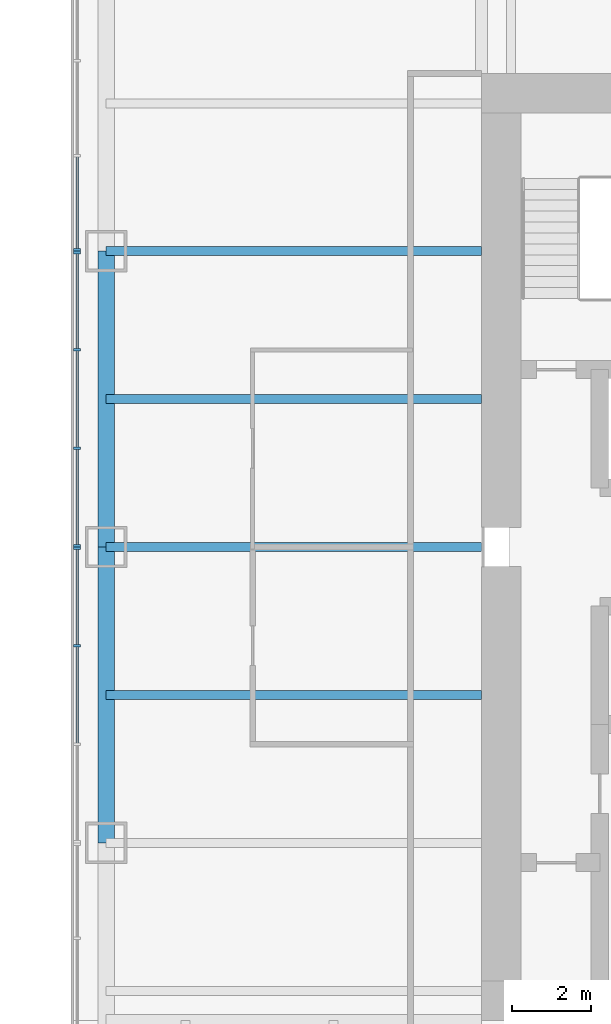
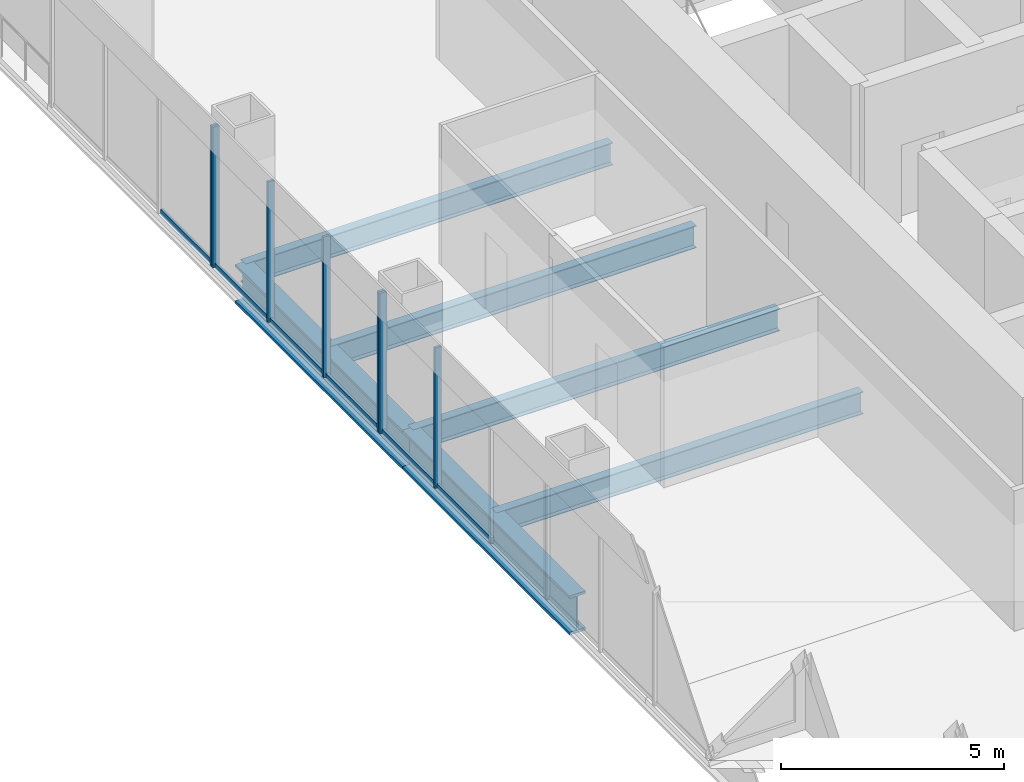
# One storey, part 3 of 13: 13 members, 6 beams, 3 elements without a shape of their own.
"""IFC4 building model written with IfcOpenShell, lengths in metres."""

from ifc_helpers import new_model, si_unit, direction, frame, origin, origin_2d, place, context, subcontext, project, spatial, rectangle, i_section, extrude, material, material_profile, profile_set, type_object, element, aggregate, save


model = new_model("IFC4")

# Units and contexts
model_context = context("Model", 3, precision=1e-05, world=origin(), true_north=direction((0.0, 1.0)))
body_context = subcontext(model_context, "Body", "Model", "MODEL_VIEW")
ifc_project = project(units=[si_unit("LENGTHUNIT", "METRE"), si_unit("AREAUNIT", "SQUARE_METRE"), si_unit("VOLUMEUNIT", "CUBIC_METRE"), si_unit("PLANEANGLEUNIT", "RADIAN"), si_unit("MASSUNIT", "GRAM", prefix="KILO")], contexts=[model_context])

# Site, building, storey
site_placement = place(None, origin())
site = spatial("IfcSite", under=ifc_project, at=site_placement, CompositionType="ELEMENT")
building_placement = place(site_placement, origin())
building = spatial("IfcBuilding", under=site, at=building_placement, Name="Tarangal Relay Tower", CompositionType="ELEMENT")
storey_placement = place(building_placement, frame((0.0, 0.0, 217.89990234375)))
storey = spatial("IfcBuildingStorey", under=building, at=storey_placement, Name="L46", CompositionType="ELEMENT", Elevation=217.89990234375)

# Beams
ifc_material_1 = material(Name="Steel ASTM A992", Category="steel")
ifc_material_profile_1 = material_profile(ifc_material_1, i_section(OverallWidth=0.41650390625, OverallDepth=1.0693359375, WebThickness=0.0390625, FlangeThickness=0.070068359375, at=origin_2d()), Name="W40X503")
ifc_profile_set_1 = profile_set([ifc_material_profile_1], Name="Steel ASTM A992")
beam_type_1 = type_object("IfcBeamType", Name="Edge girder W40X503", PredefinedType="SPANDREL", material=ifc_profile_set_1)
for number, where, z_axis, x_axis, name in (
    (1, (-21.514892578125, -7.5, -0.6845703125), (0.0, 1.0, 0.0), (-1.0, 0.0, 0.0), "Edge girder EG8 W L46"),
    (2, (-21.514892578125, 0.0, -0.6845703125), (0.0, 1.0, 0.0), (-1.0, 0.0, 0.0), "Edge girder EG8 W L46"),
):
    element("IfcBeam", number, at=place(storey_placement, frame(where, z_axis=z_axis, x_axis=x_axis)), inside=storey, type_object=beam_type_1, Name=name, PredefinedType="SPANDREL", context=body_context, shape_type="SweptSolid", body=[
        extrude(i_section(OverallWidth=0.41650390625, OverallDepth=1.0693359375, WebThickness=0.0390625, FlangeThickness=0.070068359375, at=origin_2d()), origin(), (0.0, 0.0, 1.0), 7.5),
    ])
ifc_material_profile_2 = material_profile(ifc_material_1, i_section(OverallWidth=0.22900390625, OverallDepth=0.612060546875, WebThickness=0.011962890625, FlangeThickness=0.01953125, at=origin_2d()), Name="W24X84")
ifc_profile_set_2 = profile_set([ifc_material_profile_2], Name="Steel ASTM A992")
beam_type_2 = type_object("IfcBeamType", Name="Floor beam W24X84", PredefinedType="BEAM", material=ifc_profile_set_2)
for number, where, z_axis, x_axis, name in (
    (3, (-12.0, -3.75, -0.455810546875), (-1.0, 0.0, 0.0), (0.0, -1.0, 0.0), "Floor beam RB12 W L46"),
    (4, (-12.0, 0.0, -0.455810546875), (-1.0, 0.0, 0.0), (0.0, -1.0, 0.0), "Floor beam RB12 W L46"),
    (5, (-12.0, 3.75, -0.455810546875), (-1.0, 0.0, 0.0), (0.0, -1.0, 0.0), "Floor beam RB12 W L46"),
    (6, (-12.0, 7.5, -0.455810546875), (-1.0, 0.0, 0.0), (0.0, -1.0, 0.0), "Floor beam RB12 W L46"),
):
    element("IfcBeam", number, at=place(storey_placement, frame(where, z_axis=z_axis, x_axis=x_axis)), inside=storey, type_object=beam_type_2, Name=name, PredefinedType="BEAM", context=body_context, shape_type="SweptSolid", body=[
        extrude(i_section(OverallWidth=0.22900390625, OverallDepth=0.612060546875, WebThickness=0.011962890625, FlangeThickness=0.01953125, at=origin_2d()), origin(), (0.0, 0.0, 1.0), 9.514892578125),
    ])

# Curtain wall, members
ifc_material_2 = material(Name="Unitised curtain wall, dark glass and black aluminium", Category="aluminium")
curtain_wall_type = type_object("IfcCurtainWallType", Name="Curtain wall CW-A", PredefinedType="USERDEFINED", material=ifc_material_2)
curtain_wall_1_placement = place(storey_placement, origin())
curtain_wall_1 = element("IfcCurtainWall", 7, at=curtain_wall_1_placement, inside=storey, type_object=curtain_wall_type, Name="Curtain wall CW-A W facade L46", ObjectType="UNITISED CURTAIN WALL", PredefinedType="USERDEFINED")
ifc_material_3 = material(Name="Black anodised aluminium mullion", Category="aluminium")
ifc_material_profile_3 = material_profile(ifc_material_3, rectangle(XDim=0.175048828125, YDim=0.06494140625, at=origin_2d()), Name="CW-AM 65X175")
ifc_profile_set_3 = profile_set([ifc_material_profile_3], Name="Black anodised aluminium mullion")
member_type_1 = type_object("IfcMemberType", Name="Mullion CW-A 65 x 175", PredefinedType="MULLION", material=ifc_profile_set_3)
member_1_placement = place(storey_placement, frame((-22.25, -2.5, 0.0), z_axis=(0.0, 0.0, 1.0), x_axis=(-1.0, 0.0, 0.0)))
member_1 = element("IfcMember", 8, at=member_1_placement, type_object=member_type_1, Name="CW-A mullion 3", PredefinedType="MULLION", context=body_context, shape_type="SweptSolid", body=[
    extrude(rectangle(XDim=0.175048828125, YDim=0.06494140625, at=origin_2d()), origin(), (0.0, 0.0, 1.0), 3.85009765625),
])
member_2_placement = place(storey_placement, frame((-22.25, -0.032470703125, 0.0), z_axis=(0.0, 0.0, 1.0), x_axis=(-1.0, 0.0, 0.0)))
member_2 = element("IfcMember", 9, at=member_2_placement, type_object=member_type_1, Name="CW-A mullion 4", PredefinedType="MULLION", context=body_context, shape_type="SweptSolid", body=[
    extrude(rectangle(XDim=0.175048828125, YDim=0.06494140625, at=origin_2d()), origin(), (0.0, 0.0, 1.0), 3.85009765625),
])

curtain_wall_2_placement = place(storey_placement, origin())
curtain_wall_2 = element("IfcCurtainWall", 10, at=curtain_wall_2_placement, inside=storey, type_object=curtain_wall_type, Name="Curtain wall CW-A W facade L46", ObjectType="UNITISED CURTAIN WALL", PredefinedType="USERDEFINED")
member_3_placement = place(storey_placement, frame((-22.25, 0.032470703125, 0.0), z_axis=(0.0, 0.0, 1.0), x_axis=(-1.0, 0.0, 0.0)))
member_3 = element("IfcMember", 11, at=member_3_placement, type_object=member_type_1, Name="CW-A mullion 1", PredefinedType="MULLION", context=body_context, shape_type="SweptSolid", body=[
    extrude(rectangle(XDim=0.175048828125, YDim=0.06494140625, at=origin_2d()), origin(), (0.0, 0.0, 1.0), 3.85009765625),
])
member_4_placement = place(storey_placement, frame((-22.25, 2.5, 0.0), z_axis=(0.0, 0.0, 1.0), x_axis=(-1.0, 0.0, 0.0)))
member_4 = element("IfcMember", 12, at=member_4_placement, type_object=member_type_1, Name="CW-A mullion 2", PredefinedType="MULLION", context=body_context, shape_type="SweptSolid", body=[
    extrude(rectangle(XDim=0.175048828125, YDim=0.06494140625, at=origin_2d()), origin(), (0.0, 0.0, 1.0), 3.85009765625),
])
member_5_placement = place(storey_placement, frame((-22.25, 5.0, 0.0), z_axis=(0.0, 0.0, 1.0), x_axis=(-1.0, 0.0, 0.0)))
member_5 = element("IfcMember", 13, at=member_5_placement, type_object=member_type_1, Name="CW-A mullion 3", PredefinedType="MULLION", context=body_context, shape_type="SweptSolid", body=[
    extrude(rectangle(XDim=0.175048828125, YDim=0.06494140625, at=origin_2d()), origin(), (0.0, 0.0, 1.0), 3.85009765625),
])
member_6_placement = place(storey_placement, frame((-22.25, 7.467529296875, 0.0), z_axis=(0.0, 0.0, 1.0), x_axis=(-1.0, 0.0, 0.0)))
member_6 = element("IfcMember", 14, at=member_6_placement, type_object=member_type_1, Name="CW-A mullion 4", PredefinedType="MULLION", context=body_context, shape_type="SweptSolid", body=[
    extrude(rectangle(XDim=0.175048828125, YDim=0.06494140625, at=origin_2d()), origin(), (0.0, 0.0, 1.0), 3.85009765625),
])

# Curtain wall, member
curtain_wall_3_placement = place(storey_placement, origin())
curtain_wall_3 = element("IfcCurtainWall", 15, at=curtain_wall_3_placement, inside=storey, type_object=curtain_wall_type, Name="Curtain wall CW-A W facade L46", ObjectType="UNITISED CURTAIN WALL", PredefinedType="USERDEFINED")
member_7_placement = place(storey_placement, frame((-22.25, 7.532470703125, 0.0), z_axis=(0.0, 0.0, 1.0), x_axis=(-1.0, 0.0, 0.0)))
member_7 = element("IfcMember", 16, at=member_7_placement, type_object=member_type_1, Name="CW-A mullion 1", PredefinedType="MULLION", context=body_context, shape_type="SweptSolid", body=[
    extrude(rectangle(XDim=0.175048828125, YDim=0.06494140625, at=origin_2d()), origin(), (0.0, 0.0, 1.0), 3.85009765625),
])

# Member
ifc_material_4 = material(Name="Black anodised aluminium transom", Category="aluminium")
ifc_material_profile_4 = material_profile(ifc_material_4, rectangle(XDim=0.06494140625, YDim=0.14990234375, at=origin_2d()), Name="CW-AT 65X150")
ifc_profile_set_4 = profile_set([ifc_material_profile_4], Name="Black anodised aluminium transom")
member_type_2 = type_object("IfcMemberType", Name="Transom CW-A 65 x 150", PredefinedType="USERDEFINED", material=ifc_profile_set_4)
member_8_placement = place(storey_placement, frame((-22.25, -4.967529296875, 0.03271484375), z_axis=(0.0, 1.0, 0.0), x_axis=(-1.0, 0.0, 0.0)))
member_8 = element("IfcMember", 17, at=member_8_placement, type_object=member_type_2, Name="CW-A transom 2.1", ObjectType="TRANSOM", PredefinedType="USERDEFINED", context=body_context, shape_type="SweptSolid", body=[
    extrude(rectangle(XDim=0.06494140625, YDim=0.14990234375, at=origin_2d()), origin(), (0.0, 0.0, 1.0), 2.43505859375),
])

member_9_placement = place(storey_placement, frame((-22.25, -2.467529296875, 0.03271484375), z_axis=(0.0, 1.0, 0.0), x_axis=(-1.0, 0.0, 0.0)))
member_9 = element("IfcMember", 18, at=member_9_placement, type_object=member_type_2, Name="CW-A transom 3.1", ObjectType="TRANSOM", PredefinedType="USERDEFINED", context=body_context, shape_type="SweptSolid", body=[
    extrude(rectangle(XDim=0.06494140625, YDim=0.14990234375, at=origin_2d()), origin(), (0.0, 0.0, 1.0), 2.402587890625),
])

aggregate(curtain_wall_1, [member_1, member_2, member_8, member_9])

member_10_placement = place(storey_placement, frame((-22.25, 0.06494140625, 0.03271484375), z_axis=(0.0, 1.0, 0.0), x_axis=(-1.0, 0.0, 0.0)))
member_10 = element("IfcMember", 19, at=member_10_placement, type_object=member_type_2, Name="CW-A transom 1.1", ObjectType="TRANSOM", PredefinedType="USERDEFINED", context=body_context, shape_type="SweptSolid", body=[
    extrude(rectangle(XDim=0.06494140625, YDim=0.14990234375, at=origin_2d()), origin(), (0.0, 0.0, 1.0), 2.402587890625),
])

member_11_placement = place(storey_placement, frame((-22.25, 2.532470703125, 0.03271484375), z_axis=(0.0, 1.0, 0.0), x_axis=(-1.0, 0.0, 0.0)))
member_11 = element("IfcMember", 20, at=member_11_placement, type_object=member_type_2, Name="CW-A transom 2.1", ObjectType="TRANSOM", PredefinedType="USERDEFINED", context=body_context, shape_type="SweptSolid", body=[
    extrude(rectangle(XDim=0.06494140625, YDim=0.14990234375, at=origin_2d()), origin(), (0.0, 0.0, 1.0), 2.43505859375),
])

member_12_placement = place(storey_placement, frame((-22.25, 5.032470703125, 0.03271484375), z_axis=(0.0, 1.0, 0.0), x_axis=(-1.0, 0.0, 0.0)))
member_12 = element("IfcMember", 21, at=member_12_placement, type_object=member_type_2, Name="CW-A transom 3.1", ObjectType="TRANSOM", PredefinedType="USERDEFINED", context=body_context, shape_type="SweptSolid", body=[
    extrude(rectangle(XDim=0.06494140625, YDim=0.14990234375, at=origin_2d()), origin(), (0.0, 0.0, 1.0), 2.402587890625),
])

aggregate(curtain_wall_2, [member_3, member_4, member_5, member_6, member_10, member_11, member_12])

member_13_placement = place(storey_placement, frame((-22.25, 7.56494140625, 0.03271484375), z_axis=(0.0, 1.0, 0.0), x_axis=(-1.0, 0.0, 0.0)))
member_13 = element("IfcMember", 22, at=member_13_placement, type_object=member_type_2, Name="CW-A transom 1.1", ObjectType="TRANSOM", PredefinedType="USERDEFINED", context=body_context, shape_type="SweptSolid", body=[
    extrude(rectangle(XDim=0.06494140625, YDim=0.14990234375, at=origin_2d()), origin(), (0.0, 0.0, 1.0), 2.3193359375),
])

aggregate(curtain_wall_3, [member_7, member_13])

save(model, "model.ifc")
